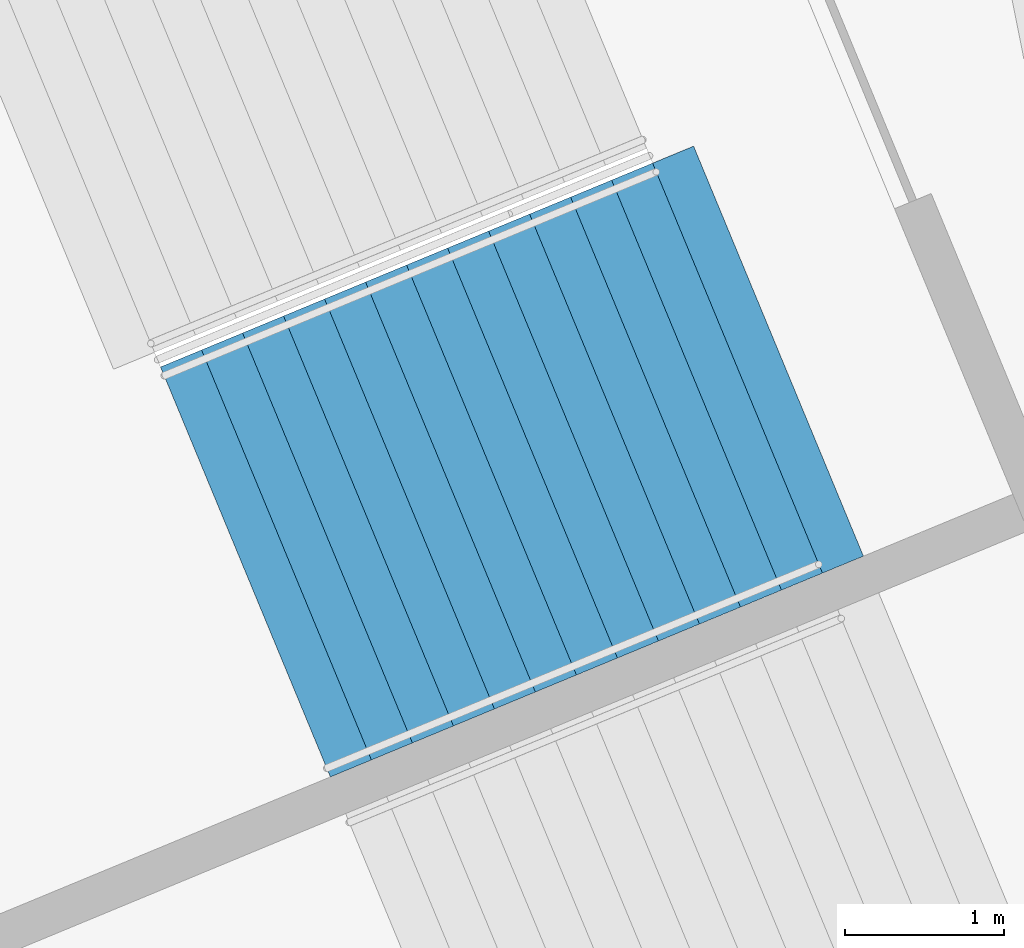
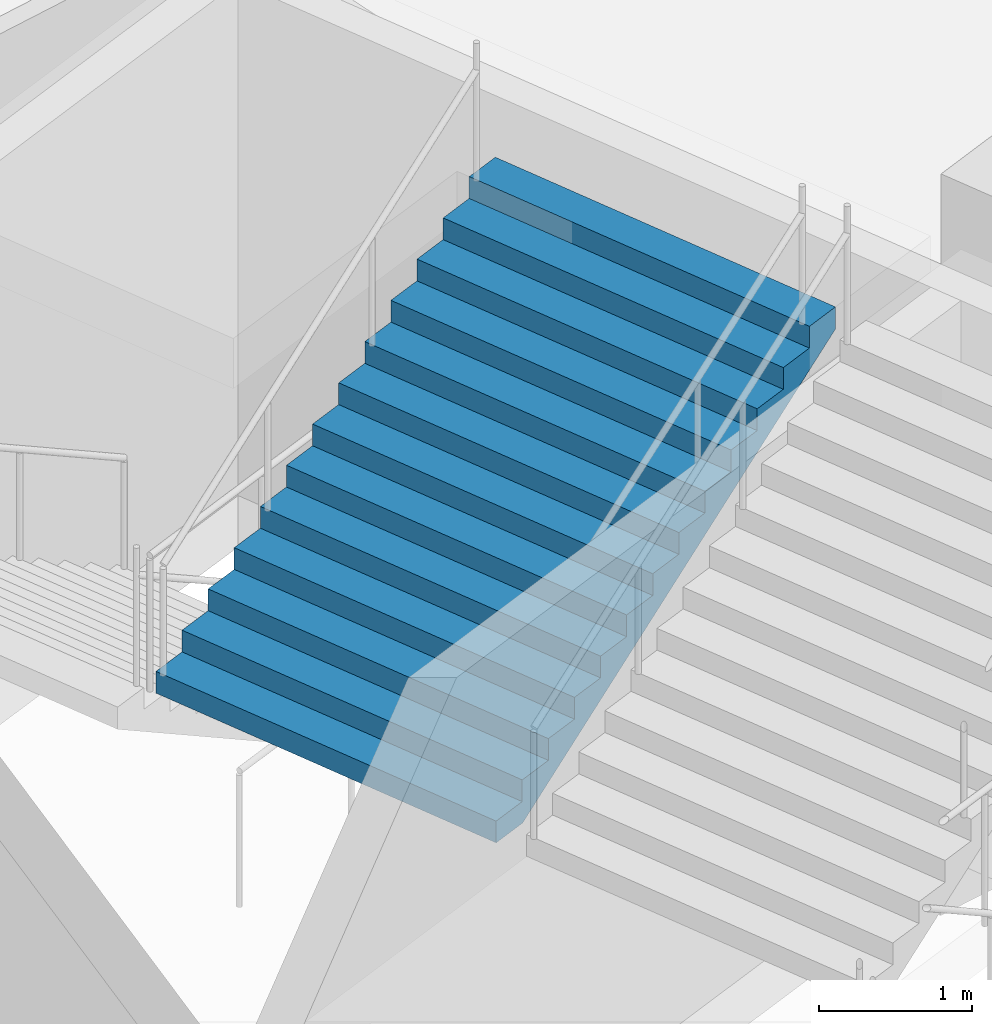
# One storey, part 115 of 199: 1 stair flight, 1 element without a shape of its own.
"""IFC4 building model written with IfcOpenShell, lengths in metres."""

from ifc_helpers import new_model, si_unit, direction, frame, origin, place, context, subcontext, project, spatial, faceted_brep, material, type_object, element, aggregate, save


model = new_model("IFC4")

# Units and contexts
model_context = context("Model", 3, precision=1e-05, world=origin(), true_north=direction((0.0, 1.0)))
body_context = subcontext(model_context, "Body", "Model", "MODEL_VIEW")
ifc_project = project(units=[si_unit("LENGTHUNIT", "METRE"), si_unit("AREAUNIT", "SQUARE_METRE"), si_unit("VOLUMEUNIT", "CUBIC_METRE"), si_unit("PLANEANGLEUNIT", "RADIAN"), si_unit("MASSUNIT", "GRAM", prefix="KILO")], contexts=[model_context])

# Site, building, storey
site_placement = place(None, origin())
site = spatial("IfcSite", under=ifc_project, at=site_placement, CompositionType="ELEMENT")
building_placement = place(site_placement, origin())
building = spatial("IfcBuilding", under=site, at=building_placement, Name="Ogive Plaza Stadium", CompositionType="ELEMENT")
storey_placement = place(building_placement, frame((0.0, 0.0, 4.5)))
storey = spatial("IfcBuildingStorey", under=building, at=storey_placement, Name="L01", CompositionType="ELEMENT", Elevation=4.5)

# Stair, stair flight
ifc_material_1 = material(Name="Concrete C40/50", Category="concrete")
stair_type = type_object("IfcStairType", Name="Exit stair", PredefinedType="STRAIGHT_RUN_STAIR", material=ifc_material_1)
stair_placement = place(storey_placement, origin())
stair = element("IfcStair", 1, at=stair_placement, inside=storey, type_object=stair_type, Name="Exit stair ST20A L01 to L02", PredefinedType="STRAIGHT_RUN_STAIR")
ifc_material_2 = material(Name="Concrete C40/50", Category="concrete")
stair_flight_type = type_object("IfcStairFlightType", Name="Exit stair flight", PredefinedType="STRAIGHT", material=ifc_material_2)
stair_flight_placement = place(storey_placement, frame((-76.814208984375, -68.58349609375, 2.25), z_axis=(0.0, 0.0, 1.0), x_axis=(0.923879532511, 0.382683432365, 0.0)))
stair_flight = element("IfcStairFlight", 2, at=stair_flight_placement, type_object=stair_flight_type, Name="ST20A flight 2", NumberOfRisers=13, NumberOfTreads=12, PredefinedType="STRAIGHT", RiserHeight=0.173076923, TreadLength=0.28, context=body_context, shape_type="Brep", body=[
    faceted_brep([(0.28515625, -1.39990234375, 0.0), (3.639892578125, -1.39990234375, 2.07373046875), (3.639892578125, -1.39990234375, 2.25), (3.360107421875, -1.39990234375, 2.25), (3.360107421875, -1.39990234375, 2.076904296875), (3.080078125, -1.39990234375, 2.076904296875), (3.080078125, -1.39990234375, 1.90380859375), (2.800048828125, -1.39990234375, 1.90380859375), (2.800048828125, -1.39990234375, 1.730712890625), (2.52001953125, -1.39990234375, 1.730712890625), (2.52001953125, -1.39990234375, 1.5576171875), (2.239990234375, -1.39990234375, 1.5576171875), (2.239990234375, -1.39990234375, 1.384521484375), (1.9599609375, -1.39990234375, 1.384521484375), (1.9599609375, -1.39990234375, 1.21142578125), (1.679931640625, -1.39990234375, 1.21142578125), (1.679931640625, -1.39990234375, 1.03857421875), (1.39990234375, -1.39990234375, 1.03857421875), (1.39990234375, -1.39990234375, 0.865478515625), (1.1201171875, -1.39990234375, 0.865478515625), (1.1201171875, -1.39990234375, 0.6923828125), (0.840087890625, -1.39990234375, 0.6923828125), (0.840087890625, -1.39990234375, 0.519287109375), (0.56005859375, -1.39990234375, 0.519287109375), (0.56005859375, -1.39990234375, 0.34619140625), (0.280029296875, -1.39990234375, 0.34619140625), (0.280029296875, -1.39990234375, 0.173095703125), (0.0, -1.39990234375, 0.173095703125), (0.0, -1.39990234375, 0.0), (0.0, 1.39990234375, 0.0), (0.0, 1.39990234375, 0.173095703125), (0.280029296875, 1.39990234375, 0.173095703125), (0.280029296875, 1.39990234375, 0.34619140625), (0.56005859375, 1.39990234375, 0.34619140625), (0.56005859375, 1.39990234375, 0.519287109375), (0.840087890625, 1.39990234375, 0.519287109375), (0.840087890625, 1.39990234375, 0.6923828125), (1.1201171875, 1.39990234375, 0.6923828125), (1.1201171875, 1.39990234375, 0.865478515625), (1.39990234375, 1.39990234375, 0.865478515625), (1.39990234375, 1.39990234375, 1.03857421875), (1.679931640625, 1.39990234375, 1.03857421875), (1.679931640625, 1.39990234375, 1.21142578125), (1.9599609375, 1.39990234375, 1.21142578125), (1.9599609375, 1.39990234375, 1.384521484375), (2.239990234375, 1.39990234375, 1.384521484375), (2.239990234375, 1.39990234375, 1.5576171875), (2.52001953125, 1.39990234375, 1.5576171875), (2.52001953125, 1.39990234375, 1.730712890625), (2.800048828125, 1.39990234375, 1.730712890625), (2.800048828125, 1.39990234375, 1.90380859375), (3.080078125, 1.39990234375, 1.90380859375), (3.080078125, 1.39990234375, 2.076904296875), (3.360107421875, 1.39990234375, 2.076904296875), (3.360107421875, 1.39990234375, 2.25), (3.639892578125, 1.39990234375, 2.25), (3.639892578125, 1.39990234375, 2.07373046875), (0.28515625, 1.39990234375, 0.0), (0.28515625, -1.0888671875, 0.0), (3.639892578125, -1.0888671875, 2.07373046875), (0.28515625, -0.77783203125, 0.0), (3.639892578125, -0.77783203125, 2.07373046875), (0.28515625, -0.466796875, 0.0), (3.639892578125, -0.466796875, 2.07373046875), (0.28515625, -0.155517578125, 0.0), (3.639892578125, -0.155517578125, 2.07373046875), (0.28515625, 0.155517578125, 0.0), (3.639892578125, 0.155517578125, 2.07373046875), (0.28515625, 0.466796875, 0.0), (3.639892578125, 0.466796875, 2.07373046875), (0.28515625, 0.77783203125, 0.0), (3.639892578125, 0.77783203125, 2.07373046875), (0.28515625, 1.0888671875, 0.0), (3.639892578125, 1.0888671875, 2.07373046875), (3.639892578125, -1.0888671875, 2.25), (3.639892578125, -0.77783203125, 2.25), (3.639892578125, -0.466796875, 2.25), (3.639892578125, -0.155517578125, 2.25), (3.639892578125, 0.155517578125, 2.25), (3.639892578125, 0.466796875, 2.25), (3.639892578125, 0.77783203125, 2.25), (3.639892578125, 1.0888671875, 2.25), (3.360107421875, -1.0888671875, 2.25), (3.360107421875, -0.77783203125, 2.25), (3.360107421875, -0.466796875, 2.25), (3.360107421875, -0.155517578125, 2.25), (3.360107421875, 0.155517578125, 2.25), (3.360107421875, 0.466796875, 2.25), (3.360107421875, 0.77783203125, 2.25), (3.360107421875, 1.0888671875, 2.25), (3.360107421875, -1.0888671875, 2.076904296875), (3.360107421875, -0.77783203125, 2.076904296875), (3.360107421875, -0.466796875, 2.076904296875), (3.360107421875, -0.155517578125, 2.076904296875), (3.360107421875, 0.155517578125, 2.076904296875), (3.360107421875, 0.466796875, 2.076904296875), (3.360107421875, 0.77783203125, 2.076904296875), (3.360107421875, 1.0888671875, 2.076904296875), (3.080078125, -1.0888671875, 2.076904296875), (3.080078125, -0.77783203125, 2.076904296875), (3.080078125, -0.466796875, 2.076904296875), (3.080078125, -0.155517578125, 2.076904296875), (3.080078125, 0.155517578125, 2.076904296875), (3.080078125, 0.466796875, 2.076904296875), (3.080078125, 0.77783203125, 2.076904296875), (3.080078125, 1.0888671875, 2.076904296875), (3.080078125, -1.0888671875, 1.90380859375), (3.080078125, -0.77783203125, 1.90380859375), (3.080078125, -0.466796875, 1.90380859375), (3.080078125, -0.155517578125, 1.90380859375), (3.080078125, 0.155517578125, 1.90380859375), (3.080078125, 0.466796875, 1.90380859375), (3.080078125, 0.77783203125, 1.90380859375), (3.080078125, 1.0888671875, 1.90380859375), (2.800048828125, -1.0888671875, 1.90380859375), (2.800048828125, -0.77783203125, 1.90380859375), (2.800048828125, -0.466796875, 1.90380859375), (2.800048828125, -0.155517578125, 1.90380859375), (2.800048828125, 0.155517578125, 1.90380859375), (2.800048828125, 0.466796875, 1.90380859375), (2.800048828125, 0.77783203125, 1.90380859375), (2.800048828125, 1.0888671875, 1.90380859375), (2.800048828125, -1.0888671875, 1.730712890625), (2.800048828125, -0.77783203125, 1.730712890625), (2.800048828125, -0.466796875, 1.730712890625), (2.800048828125, -0.155517578125, 1.730712890625), (2.800048828125, 0.155517578125, 1.730712890625), (2.800048828125, 0.466796875, 1.730712890625), (2.800048828125, 0.77783203125, 1.730712890625), (2.800048828125, 1.0888671875, 1.730712890625), (2.52001953125, -1.0888671875, 1.730712890625), (2.52001953125, -0.77783203125, 1.730712890625), (2.52001953125, -0.466796875, 1.730712890625), (2.52001953125, -0.155517578125, 1.730712890625), (2.52001953125, 0.155517578125, 1.730712890625), (2.52001953125, 0.466796875, 1.730712890625), (2.52001953125, 0.77783203125, 1.730712890625), (2.52001953125, 1.0888671875, 1.730712890625), (2.52001953125, -1.0888671875, 1.5576171875), (2.52001953125, -0.77783203125, 1.5576171875), (2.52001953125, -0.466796875, 1.5576171875), (2.52001953125, -0.155517578125, 1.5576171875), (2.52001953125, 0.155517578125, 1.5576171875), (2.52001953125, 0.466796875, 1.5576171875), (2.52001953125, 0.77783203125, 1.5576171875), (2.52001953125, 1.0888671875, 1.5576171875), (2.239990234375, -1.0888671875, 1.5576171875), (2.239990234375, -0.77783203125, 1.5576171875), (2.239990234375, -0.466796875, 1.5576171875), (2.239990234375, -0.155517578125, 1.5576171875), (2.239990234375, 0.155517578125, 1.5576171875), (2.239990234375, 0.466796875, 1.5576171875), (2.239990234375, 0.77783203125, 1.5576171875), (2.239990234375, 1.0888671875, 1.5576171875), (2.239990234375, -1.0888671875, 1.384521484375), (2.239990234375, -0.77783203125, 1.384521484375), (2.239990234375, -0.466796875, 1.384521484375), (2.239990234375, -0.155517578125, 1.384521484375), (2.239990234375, 0.155517578125, 1.384521484375), (2.239990234375, 0.466796875, 1.384521484375), (2.239990234375, 0.77783203125, 1.384521484375), (2.239990234375, 1.0888671875, 1.384521484375), (1.9599609375, -1.0888671875, 1.384521484375), (1.9599609375, -0.77783203125, 1.384521484375), (1.9599609375, -0.466796875, 1.384521484375), (1.9599609375, -0.155517578125, 1.384521484375), (1.9599609375, 0.155517578125, 1.384521484375), (1.9599609375, 0.466796875, 1.384521484375), (1.9599609375, 0.77783203125, 1.384521484375), (1.9599609375, 1.0888671875, 1.384521484375), (1.9599609375, -1.0888671875, 1.21142578125), (1.9599609375, -0.77783203125, 1.21142578125), (1.9599609375, -0.466796875, 1.21142578125), (1.9599609375, -0.155517578125, 1.21142578125), (1.9599609375, 0.155517578125, 1.21142578125), (1.9599609375, 0.466796875, 1.21142578125), (1.9599609375, 0.77783203125, 1.21142578125), (1.9599609375, 1.0888671875, 1.21142578125), (1.679931640625, -1.0888671875, 1.21142578125), (1.679931640625, -0.77783203125, 1.21142578125), (1.679931640625, -0.466796875, 1.21142578125), (1.679931640625, -0.155517578125, 1.21142578125), (1.679931640625, 0.155517578125, 1.21142578125), (1.679931640625, 0.466796875, 1.21142578125), (1.679931640625, 0.77783203125, 1.21142578125), (1.679931640625, 1.0888671875, 1.21142578125), (1.679931640625, -1.0888671875, 1.03857421875), (1.679931640625, -0.77783203125, 1.03857421875), (1.679931640625, -0.466796875, 1.03857421875), (1.679931640625, -0.155517578125, 1.03857421875), (1.679931640625, 0.155517578125, 1.03857421875), (1.679931640625, 0.466796875, 1.03857421875), (1.679931640625, 0.77783203125, 1.03857421875), (1.679931640625, 1.0888671875, 1.03857421875), (1.39990234375, -1.0888671875, 1.03857421875), (1.39990234375, -0.77783203125, 1.03857421875), (1.39990234375, -0.466796875, 1.03857421875), (1.39990234375, -0.155517578125, 1.03857421875), (1.39990234375, 0.155517578125, 1.03857421875), (1.39990234375, 0.466796875, 1.03857421875), (1.39990234375, 0.77783203125, 1.03857421875), (1.39990234375, 1.0888671875, 1.03857421875), (1.39990234375, -1.0888671875, 0.865478515625), (1.39990234375, -0.77783203125, 0.865478515625), (1.39990234375, -0.466796875, 0.865478515625), (1.39990234375, -0.155517578125, 0.865478515625), (1.39990234375, 0.155517578125, 0.865478515625), (1.39990234375, 0.466796875, 0.865478515625), (1.39990234375, 0.77783203125, 0.865478515625), (1.39990234375, 1.0888671875, 0.865478515625), (1.1201171875, -1.0888671875, 0.865478515625), (1.1201171875, -0.77783203125, 0.865478515625), (1.1201171875, -0.466796875, 0.865478515625), (1.1201171875, -0.155517578125, 0.865478515625), (1.1201171875, 0.155517578125, 0.865478515625), (1.1201171875, 0.466796875, 0.865478515625), (1.1201171875, 0.77783203125, 0.865478515625), (1.1201171875, 1.0888671875, 0.865478515625), (1.1201171875, -1.0888671875, 0.6923828125), (1.1201171875, -0.77783203125, 0.6923828125), (1.1201171875, -0.466796875, 0.6923828125), (1.1201171875, -0.155517578125, 0.6923828125), (1.1201171875, 0.155517578125, 0.6923828125), (1.1201171875, 0.466796875, 0.6923828125), (1.1201171875, 0.77783203125, 0.6923828125), (1.1201171875, 1.0888671875, 0.6923828125), (0.840087890625, -1.0888671875, 0.6923828125), (0.840087890625, -0.77783203125, 0.6923828125), (0.840087890625, -0.466796875, 0.6923828125), (0.840087890625, -0.155517578125, 0.6923828125), (0.840087890625, 0.155517578125, 0.6923828125), (0.840087890625, 0.466796875, 0.6923828125), (0.840087890625, 0.77783203125, 0.6923828125), (0.840087890625, 1.0888671875, 0.6923828125), (0.840087890625, -1.0888671875, 0.519287109375), (0.840087890625, -0.77783203125, 0.519287109375), (0.840087890625, -0.466796875, 0.519287109375), (0.840087890625, -0.155517578125, 0.519287109375), (0.840087890625, 0.155517578125, 0.519287109375), (0.840087890625, 0.466796875, 0.519287109375), (0.840087890625, 0.77783203125, 0.519287109375), (0.840087890625, 1.0888671875, 0.519287109375), (0.56005859375, -1.0888671875, 0.519287109375), (0.56005859375, -0.77783203125, 0.519287109375), (0.56005859375, -0.466796875, 0.519287109375), (0.56005859375, -0.155517578125, 0.519287109375), (0.56005859375, 0.155517578125, 0.519287109375), (0.56005859375, 0.466796875, 0.519287109375), (0.56005859375, 0.77783203125, 0.519287109375), (0.56005859375, 1.0888671875, 0.519287109375), (0.56005859375, -1.0888671875, 0.34619140625), (0.56005859375, -0.77783203125, 0.34619140625), (0.56005859375, -0.466796875, 0.34619140625), (0.56005859375, -0.155517578125, 0.34619140625), (0.56005859375, 0.155517578125, 0.34619140625), (0.56005859375, 0.466796875, 0.34619140625), (0.56005859375, 0.77783203125, 0.34619140625), (0.56005859375, 1.0888671875, 0.34619140625), (0.280029296875, -1.0888671875, 0.34619140625), (0.280029296875, -0.77783203125, 0.34619140625), (0.280029296875, -0.466796875, 0.34619140625), (0.280029296875, -0.155517578125, 0.34619140625), (0.280029296875, 0.155517578125, 0.34619140625), (0.280029296875, 0.466796875, 0.34619140625), (0.280029296875, 0.77783203125, 0.34619140625), (0.280029296875, 1.0888671875, 0.34619140625), (0.280029296875, -1.0888671875, 0.173095703125), (0.280029296875, -0.77783203125, 0.173095703125), (0.280029296875, -0.466796875, 0.173095703125), (0.280029296875, -0.155517578125, 0.173095703125), (0.280029296875, 0.155517578125, 0.173095703125), (0.280029296875, 0.466796875, 0.173095703125), (0.280029296875, 0.77783203125, 0.173095703125), (0.280029296875, 1.0888671875, 0.173095703125), (0.0, -1.0888671875, 0.173095703125), (0.0, -0.77783203125, 0.173095703125), (0.0, -0.466796875, 0.173095703125), (0.0, -0.155517578125, 0.173095703125), (0.0, 0.155517578125, 0.173095703125), (0.0, 0.466796875, 0.173095703125), (0.0, 0.77783203125, 0.173095703125), (0.0, 1.0888671875, 0.173095703125), (0.0, -1.0888671875, 0.0), (0.0, -0.77783203125, 0.0), (0.0, -0.466796875, 0.0), (0.0, -0.155517578125, 0.0), (0.0, 0.155517578125, 0.0), (0.0, 0.466796875, 0.0), (0.0, 0.77783203125, 0.0), (0.0, 1.0888671875, 0.0)], [[[0, 1, 2, 3, 4, 5, 6, 7, 8, 9, 10, 11, 12, 13, 14, 15, 16, 17, 18, 19, 20, 21, 22, 23, 24, 25, 26, 27, 28]], [[29, 30, 31, 32, 33, 34, 35, 36, 37, 38, 39, 40, 41, 42, 43, 44, 45, 46, 47, 48, 49, 50, 51, 52, 53, 54, 55, 56, 57]], [[0, 58, 59, 1]], [[58, 60, 61, 59]], [[60, 62, 63, 61]], [[62, 64, 65, 63]], [[64, 66, 67, 65]], [[66, 68, 69, 67]], [[68, 70, 71, 69]], [[70, 72, 73, 71]], [[72, 57, 56, 73]], [[1, 59, 74, 2]], [[59, 61, 75, 74]], [[61, 63, 76, 75]], [[63, 65, 77, 76]], [[65, 67, 78, 77]], [[67, 69, 79, 78]], [[69, 71, 80, 79]], [[71, 73, 81, 80]], [[73, 56, 55, 81]], [[2, 74, 82, 3]], [[74, 75, 83, 82]], [[75, 76, 84, 83]], [[76, 77, 85, 84]], [[77, 78, 86, 85]], [[78, 79, 87, 86]], [[79, 80, 88, 87]], [[80, 81, 89, 88]], [[81, 55, 54, 89]], [[3, 82, 90, 4]], [[82, 83, 91, 90]], [[83, 84, 92, 91]], [[84, 85, 93, 92]], [[85, 86, 94, 93]], [[86, 87, 95, 94]], [[87, 88, 96, 95]], [[88, 89, 97, 96]], [[89, 54, 53, 97]], [[4, 90, 98, 5]], [[90, 91, 99, 98]], [[91, 92, 100, 99]], [[92, 93, 101, 100]], [[93, 94, 102, 101]], [[94, 95, 103, 102]], [[95, 96, 104, 103]], [[96, 97, 105, 104]], [[97, 53, 52, 105]], [[5, 98, 106, 6]], [[98, 99, 107, 106]], [[99, 100, 108, 107]], [[100, 101, 109, 108]], [[101, 102, 110, 109]], [[102, 103, 111, 110]], [[103, 104, 112, 111]], [[104, 105, 113, 112]], [[105, 52, 51, 113]], [[6, 106, 114, 7]], [[106, 107, 115, 114]], [[107, 108, 116, 115]], [[108, 109, 117, 116]], [[109, 110, 118, 117]], [[110, 111, 119, 118]], [[111, 112, 120, 119]], [[112, 113, 121, 120]], [[113, 51, 50, 121]], [[7, 114, 122, 8]], [[114, 115, 123, 122]], [[115, 116, 124, 123]], [[116, 117, 125, 124]], [[117, 118, 126, 125]], [[118, 119, 127, 126]], [[119, 120, 128, 127]], [[120, 121, 129, 128]], [[121, 50, 49, 129]], [[8, 122, 130, 9]], [[122, 123, 131, 130]], [[123, 124, 132, 131]], [[124, 125, 133, 132]], [[125, 126, 134, 133]], [[126, 127, 135, 134]], [[127, 128, 136, 135]], [[128, 129, 137, 136]], [[129, 49, 48, 137]], [[9, 130, 138, 10]], [[130, 131, 139, 138]], [[131, 132, 140, 139]], [[132, 133, 141, 140]], [[133, 134, 142, 141]], [[134, 135, 143, 142]], [[135, 136, 144, 143]], [[136, 137, 145, 144]], [[137, 48, 47, 145]], [[10, 138, 146, 11]], [[138, 139, 147, 146]], [[139, 140, 148, 147]], [[140, 141, 149, 148]], [[141, 142, 150, 149]], [[142, 143, 151, 150]], [[143, 144, 152, 151]], [[144, 145, 153, 152]], [[145, 47, 46, 153]], [[11, 146, 154, 12]], [[146, 147, 155, 154]], [[147, 148, 156, 155]], [[148, 149, 157, 156]], [[149, 150, 158, 157]], [[150, 151, 159, 158]], [[151, 152, 160, 159]], [[152, 153, 161, 160]], [[153, 46, 45, 161]], [[12, 154, 162, 13]], [[154, 155, 163, 162]], [[155, 156, 164, 163]], [[156, 157, 165, 164]], [[157, 158, 166, 165]], [[158, 159, 167, 166]], [[159, 160, 168, 167]], [[160, 161, 169, 168]], [[161, 45, 44, 169]], [[13, 162, 170, 14]], [[162, 163, 171, 170]], [[163, 164, 172, 171]], [[164, 165, 173, 172]], [[165, 166, 174, 173]], [[166, 167, 175, 174]], [[167, 168, 176, 175]], [[168, 169, 177, 176]], [[169, 44, 43, 177]], [[14, 170, 178, 15]], [[170, 171, 179, 178]], [[171, 172, 180, 179]], [[172, 173, 181, 180]], [[173, 174, 182, 181]], [[174, 175, 183, 182]], [[175, 176, 184, 183]], [[176, 177, 185, 184]], [[177, 43, 42, 185]], [[15, 178, 186, 16]], [[178, 179, 187, 186]], [[179, 180, 188, 187]], [[180, 181, 189, 188]], [[181, 182, 190, 189]], [[182, 183, 191, 190]], [[183, 184, 192, 191]], [[184, 185, 193, 192]], [[185, 42, 41, 193]], [[16, 186, 194, 17]], [[186, 187, 195, 194]], [[187, 188, 196, 195]], [[188, 189, 197, 196]], [[189, 190, 198, 197]], [[190, 191, 199, 198]], [[191, 192, 200, 199]], [[192, 193, 201, 200]], [[193, 41, 40, 201]], [[17, 194, 202, 18]], [[194, 195, 203, 202]], [[195, 196, 204, 203]], [[196, 197, 205, 204]], [[197, 198, 206, 205]], [[198, 199, 207, 206]], [[199, 200, 208, 207]], [[200, 201, 209, 208]], [[201, 40, 39, 209]], [[18, 202, 210, 19]], [[202, 203, 211, 210]], [[203, 204, 212, 211]], [[204, 205, 213, 212]], [[205, 206, 214, 213]], [[206, 207, 215, 214]], [[207, 208, 216, 215]], [[208, 209, 217, 216]], [[209, 39, 38, 217]], [[19, 210, 218, 20]], [[210, 211, 219, 218]], [[211, 212, 220, 219]], [[212, 213, 221, 220]], [[213, 214, 222, 221]], [[214, 215, 223, 222]], [[215, 216, 224, 223]], [[216, 217, 225, 224]], [[217, 38, 37, 225]], [[20, 218, 226, 21]], [[218, 219, 227, 226]], [[219, 220, 228, 227]], [[220, 221, 229, 228]], [[221, 222, 230, 229]], [[222, 223, 231, 230]], [[223, 224, 232, 231]], [[224, 225, 233, 232]], [[225, 37, 36, 233]], [[21, 226, 234, 22]], [[226, 227, 235, 234]], [[227, 228, 236, 235]], [[228, 229, 237, 236]], [[229, 230, 238, 237]], [[230, 231, 239, 238]], [[231, 232, 240, 239]], [[232, 233, 241, 240]], [[233, 36, 35, 241]], [[22, 234, 242, 23]], [[234, 235, 243, 242]], [[235, 236, 244, 243]], [[236, 237, 245, 244]], [[237, 238, 246, 245]], [[238, 239, 247, 246]], [[239, 240, 248, 247]], [[240, 241, 249, 248]], [[241, 35, 34, 249]], [[23, 242, 250, 24]], [[242, 243, 251, 250]], [[243, 244, 252, 251]], [[244, 245, 253, 252]], [[245, 246, 254, 253]], [[246, 247, 255, 254]], [[247, 248, 256, 255]], [[248, 249, 257, 256]], [[249, 34, 33, 257]], [[24, 250, 258, 25]], [[250, 251, 259, 258]], [[251, 252, 260, 259]], [[252, 253, 261, 260]], [[253, 254, 262, 261]], [[254, 255, 263, 262]], [[255, 256, 264, 263]], [[256, 257, 265, 264]], [[257, 33, 32, 265]], [[25, 258, 266, 26]], [[258, 259, 267, 266]], [[259, 260, 268, 267]], [[260, 261, 269, 268]], [[261, 262, 270, 269]], [[262, 263, 271, 270]], [[263, 264, 272, 271]], [[264, 265, 273, 272]], [[265, 32, 31, 273]], [[26, 266, 274, 27]], [[266, 267, 275, 274]], [[267, 268, 276, 275]], [[268, 269, 277, 276]], [[269, 270, 278, 277]], [[270, 271, 279, 278]], [[271, 272, 280, 279]], [[272, 273, 281, 280]], [[273, 31, 30, 281]], [[27, 274, 282, 28]], [[274, 275, 283, 282]], [[275, 276, 284, 283]], [[276, 277, 285, 284]], [[277, 278, 286, 285]], [[278, 279, 287, 286]], [[279, 280, 288, 287]], [[280, 281, 289, 288]], [[281, 30, 29, 289]], [[28, 282, 58, 0]], [[282, 283, 60, 58]], [[283, 284, 62, 60]], [[284, 285, 64, 62]], [[285, 286, 66, 64]], [[286, 287, 68, 66]], [[287, 288, 70, 68]], [[288, 289, 72, 70]], [[289, 29, 57, 72]]]),
])
aggregate(stair, [stair_flight])

save(model, "model.ifc")
